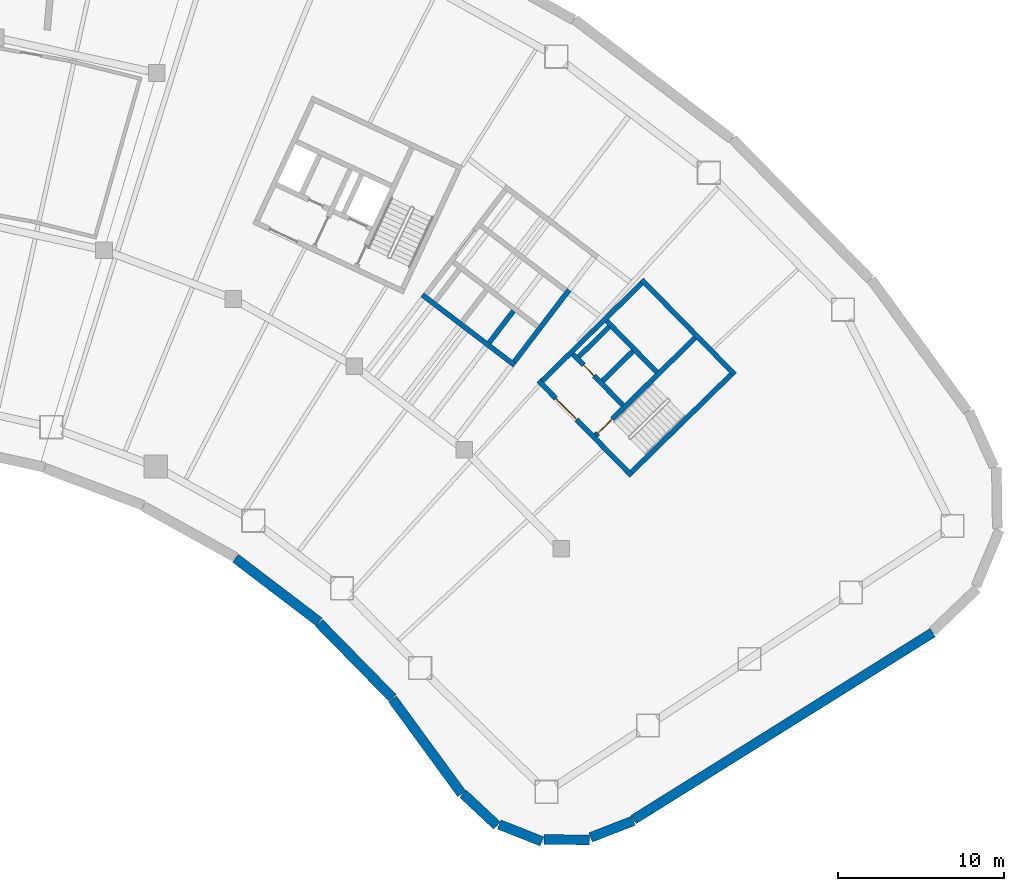
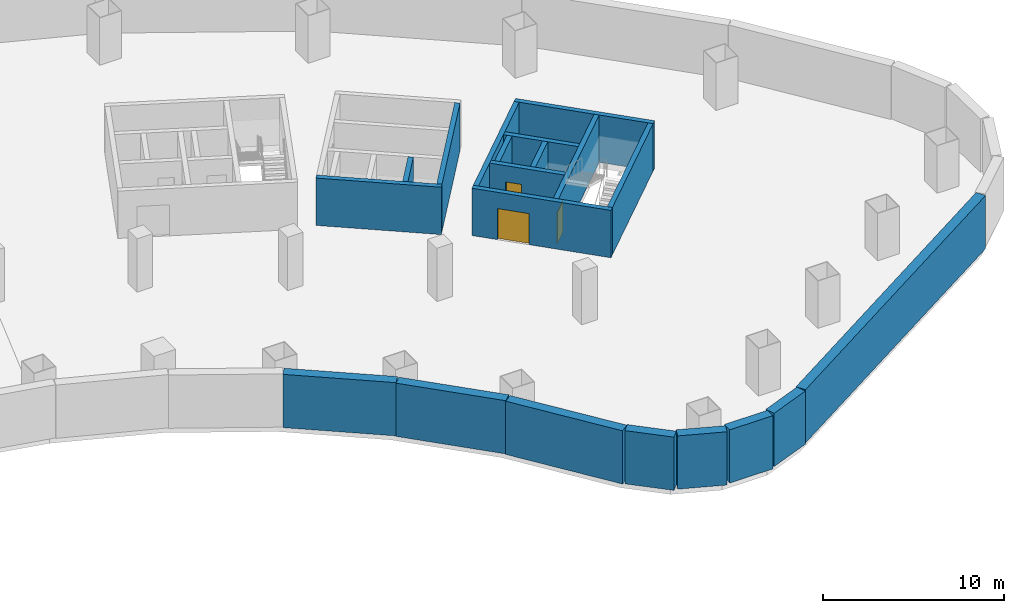
# One storey, part 6 of 10: 20 walls, 3 doors, 3 openings.
"""IFC4 building model written with IfcOpenShell, lengths in metres."""

from ifc_helpers import new_model, si_unit, direction, frame, frame_2d, origin, place, context, subcontext, project, spatial, rectangle, extrude, material, layer, layer_set, type_object, element, fill, save


model = new_model("IFC4")

# Units and contexts
model_context = context("Model", 3, precision=1e-05, world=origin(), true_north=direction((0.0, 1.0)))
body_context = subcontext(model_context, "Body", "Model", "MODEL_VIEW")
ifc_project = project(units=[si_unit("LENGTHUNIT", "METRE"), si_unit("AREAUNIT", "SQUARE_METRE"), si_unit("VOLUMEUNIT", "CUBIC_METRE"), si_unit("PLANEANGLEUNIT", "RADIAN"), si_unit("MASSUNIT", "GRAM", prefix="KILO")], contexts=[model_context])

# Site, building, storey
site_placement = place(None, origin())
site = spatial("IfcSite", under=ifc_project, at=site_placement, CompositionType="ELEMENT")
building_placement = place(site_placement, origin())
building = spatial("IfcBuilding", under=site, at=building_placement, Name="Tuul Gate Civic Tower", CompositionType="ELEMENT")
storey_placement = place(building_placement, frame((0.0, 0.0, -8.10009765625)))
storey = spatial("IfcBuildingStorey", under=building, at=storey_placement, Name="Basement 2", CompositionType="ELEMENT", Elevation=-8.10009765625)

# Wall, opening, door
ifc_material_1 = material(Name="Concrete C50/60", Category="concrete")
ifc_layer_1 = layer(ifc_material_1, 0.300048828125)
ifc_layer_set_1 = layer_set([ifc_layer_1], Name="Concrete C50/60")
wall_type_1 = type_object("IfcWallType", Name="Core wall C50/60", PredefinedType="SHEAR", material=ifc_layer_set_1)
wall_1_placement = place(storey_placement, frame((48.22509765625, -18.327880859375, 0.0), z_axis=(0.0, 0.0, 1.0), x_axis=(-0.700021979774, 0.714121297703, 0.0)))
wall_1 = element("IfcWall", 1, at=wall_1_placement, inside=storey, type_object=wall_type_1, Name="Core wall", PredefinedType="SHEAR", context=body_context, shape_type="SweptSolid", body=[
    extrude(rectangle(XDim=8.0, YDim=0.300048828125, at=frame_2d((4.0, 0.0))), origin(), (0.0, 0.0, 1.0), 3.2001953125),
])
opening_1_placement = place(wall_1_placement, frame((4.72509765625, 0.0, 0.0)))
opening_1 = element("IfcOpeningElement", 2, at=opening_1_placement, cuts=wall_1, Name="Opening LB-E1-LOBBY-1", PredefinedType="OPENING", context=body_context, shape_type="SweptSolid", body=[
    extrude(rectangle(XDim=1.800048828125, YDim=2.10009765625, at=frame_2d((0.89990234375, 1.050048828125))), frame((0.0, 0.16015625, 0.0), z_axis=(0.0, -1.0, 0.0), x_axis=(1.0, 0.0, 0.0)), (0.0, 0.0, 1.0), 0.320068359375),
])
ifc_material_2 = material(Name="Steel", Category="steel")
door_type_1 = type_object("IfcDoorType", Name="Lobby door", OperationType="DOUBLE_DOOR_SINGLE_SWING", PredefinedType="DOOR", material=ifc_material_2)
door_1_placement = place(opening_1_placement, origin())
door_1 = element("IfcDoor", 3, at=door_1_placement, inside=storey, type_object=door_type_1, Name="Lobby door E1-LOBBY", OperationType="DOUBLE_DOOR_SINGLE_SWING", OverallHeight=2.10009765625, OverallWidth=1.800048828125, PredefinedType="DOOR", context=body_context, shape_type="SweptSolid", body=[
    extrude(rectangle(XDim=1.800048828125, YDim=2.10009765625, at=frame_2d((0.89990234375, 1.050048828125))), frame((0.0, 0.02490234375, 0.0), z_axis=(0.0, -1.0, 0.0), x_axis=(1.0, 0.0, 0.0)), (0.0, 0.0, 1.0), 0.050048828125),
])
fill(opening_1, door_1)

wall_2_placement = place(storey_placement, frame((47.701904296875, -14.079833984375, 0.0), z_axis=(0.0, 0.0, 1.0), x_axis=(-0.700002721075, 0.714140175657, 0.0)))
wall_2 = element("IfcWall", 4, at=wall_2_placement, inside=storey, type_object=wall_type_1, Name="Core wall", PredefinedType="SHEAR", context=body_context, shape_type="SweptSolid", body=[
    extrude(rectangle(XDim=4.300048828125, YDim=0.300048828125, at=frame_2d((2.14990234375, 0.0))), origin(), (0.0, 0.0, 1.0), 3.2001953125),
])
opening_2_placement = place(wall_2_placement, frame((2.47509765625, 0.0, 0.0)))
opening_2 = element("IfcOpeningElement", 5, at=opening_2_placement, cuts=wall_2, Name="Opening FB-E1A2", PredefinedType="OPENING", context=body_context, shape_type="SweptSolid", body=[
    extrude(rectangle(XDim=0.89990234375, YDim=2.10009765625, at=frame_2d((0.449951171875, 1.050048828125))), frame((0.0, 0.16015625, 0.0), z_axis=(0.0, -1.0, 0.0), x_axis=(1.0, 0.0, 0.0)), (0.0, 0.0, 1.0), 0.320068359375),
])
ifc_material_3 = material(Name="Steel", Category="steel")
door_type_2 = type_object("IfcDoorType", Name="Store door", OperationType="NOTDEFINED", PredefinedType="DOOR", material=ifc_material_3)
door_2_placement = place(opening_2_placement, frame((0.89990234375, 0.0, 0.0), z_axis=(0.0, 0.0, 1.0), x_axis=(-1.0, 0.0, 0.0)))
door_2 = element("IfcDoor", 6, at=door_2_placement, inside=storey, type_object=door_type_2, Name="Store door E1A2", OperationType="SINGLE_SWING_LEFT", OverallHeight=2.10009765625, OverallWidth=0.89990234375, PredefinedType="DOOR", context=body_context, shape_type="SweptSolid", body=[
    extrude(rectangle(XDim=0.89990234375, YDim=2.10009765625, at=frame_2d((0.449951171875, 1.050048828125))), frame((0.0, 0.02490234375, 0.0), z_axis=(0.0, -1.0, 0.0), x_axis=(1.0, 0.0, 0.0)), (0.0, 0.0, 1.0), 0.050048828125),
])
fill(opening_2, door_2)

# Walls
wall_3_placement = place(storey_placement, frame((49.737060546875, -12.0849609375, 0.0), z_axis=(0.0, 0.0, 1.0), x_axis=(-0.700002721075, 0.714140175657, 0.0)))
element("IfcWall", 7, at=wall_3_placement, inside=storey, type_object=wall_type_1, Name="Core wall", PredefinedType="SHEAR", context=body_context, shape_type="SweptSolid", body=[
    extrude(rectangle(XDim=4.300048828125, YDim=0.300048828125, at=frame_2d((2.14990234375, 0.0))), origin(), (0.0, 0.0, 1.0), 3.2001953125),
])
wall_4_placement = place(storey_placement, frame((54.43798828125, -12.23779296875, 0.0), z_axis=(0.0, 0.0, 1.0), x_axis=(-0.700021979774, 0.714121297703, 0.0)))
element("IfcWall", 8, at=wall_4_placement, inside=storey, type_object=wall_type_1, Name="Core wall", PredefinedType="SHEAR", context=body_context, shape_type="SweptSolid", body=[
    extrude(rectangle(XDim=8.0, YDim=0.300048828125, at=frame_2d((4.0, 0.0))), origin(), (0.0, 0.0, 1.0), 3.2001953125),
])
wall_5_placement = place(storey_placement, frame((48.227294921875, -18.115966796875, 0.0), z_axis=(0.0, 0.0, 1.0), x_axis=(0.714105315431, 0.700038283577, 0.0)))
element("IfcWall", 9, at=wall_5_placement, inside=storey, type_object=wall_type_1, Name="Core wall", PredefinedType="SHEAR", context=body_context, shape_type="SweptSolid", body=[
    extrude(rectangle(XDim=8.400146484375, YDim=0.300048828125, at=frame_2d((4.2001953125, 0.0))), origin(), (0.0, 0.0, 1.0), 3.2001953125),
])

# Wall, opening, door
wall_6_placement = place(storey_placement, frame((46.05712890625, -15.902099609375, 0.0), z_axis=(0.0, 0.0, 1.0), x_axis=(0.714134086973, 0.700008932674, 0.0)))
wall_6 = element("IfcWall", 10, at=wall_6_placement, inside=storey, type_object=wall_type_1, Name="Core wall", PredefinedType="SHEAR", context=body_context, shape_type="SweptSolid", body=[
    extrude(rectangle(XDim=8.400146484375, YDim=0.300048828125, at=frame_2d((4.2001953125, 0.0))), origin(), (0.0, 0.0, 1.0), 3.2001953125),
])
opening_3_placement = place(wall_6_placement, frame((0.199951171875, 0.0, 0.0)))
opening_3 = element("IfcOpeningElement", 11, at=opening_3_placement, cuts=wall_6, Name="Opening SD-ST-3", PredefinedType="OPENING", context=body_context, shape_type="SweptSolid", body=[
    extrude(rectangle(XDim=1.199951171875, YDim=2.10009765625, at=frame_2d((0.60009765625, 1.050048828125))), frame((0.0, 0.16015625, 0.0), z_axis=(0.0, -1.0, 0.0), x_axis=(1.0, 0.0, 0.0)), (0.0, 0.0, 1.0), 0.320068359375),
])
ifc_material_4 = material(Name="Steel", Category="steel")
door_type_3 = type_object("IfcDoorType", Name="Stair door", OperationType="NOTDEFINED", PredefinedType="DOOR", material=ifc_material_4)
door_3_placement = place(opening_3_placement, origin())
door_3 = element("IfcDoor", 12, at=door_3_placement, inside=storey, type_object=door_type_3, Name="Stair door ST-3", OperationType="SINGLE_SWING_LEFT", OverallHeight=2.10009765625, OverallWidth=1.199951171875, PredefinedType="DOOR", context=body_context, shape_type="SweptSolid", body=[
    extrude(rectangle(XDim=1.199951171875, YDim=2.10009765625, at=frame_2d((0.60009765625, 1.050048828125))), frame((0.0, 0.02490234375, 0.0), z_axis=(0.0, -1.0, 0.0), x_axis=(1.0, 0.0, 0.0)), (0.0, 0.0, 1.0), 0.050048828125),
])
fill(opening_3, door_3)

# Walls
wall_7_placement = place(storey_placement, frame((46.47900390625, -12.617919921875, 0.0), z_axis=(0.0, 0.0, 1.0), x_axis=(0.71410944159, 0.700034074479, 0.0)))
element("IfcWall", 13, at=wall_7_placement, inside=storey, type_object=wall_type_1, Name="Core wall", PredefinedType="SHEAR", context=body_context, shape_type="SweptSolid", body=[
    extrude(rectangle(XDim=2.5498046875, YDim=0.300048828125, at=frame_2d((1.27490234375, 0.0))), origin(), (0.0, 0.0, 1.0), 3.2001953125),
])
wall_8_placement = place(storey_placement, frame((45.0439453125, -11.154052734375, 0.0), z_axis=(0.0, 0.0, 1.0), x_axis=(0.714108498262, 0.700035036773, 0.0)))
element("IfcWall", 14, at=wall_8_placement, inside=storey, type_object=wall_type_1, Name="Core wall", PredefinedType="SHEAR", context=body_context, shape_type="SweptSolid", body=[
    extrude(rectangle(XDim=2.550048828125, YDim=0.300048828125, at=frame_2d((1.27490234375, 0.0))), origin(), (0.0, 0.0, 1.0), 3.2001953125),
])
wall_9_placement = place(storey_placement, frame((42.837158203125, -12.616943359375, 0.0), z_axis=(0.0, 0.0, 1.0), x_axis=(0.714119844755, 0.700023461983, 0.0)))
element("IfcWall", 15, at=wall_9_placement, inside=storey, type_object=wall_type_1, Name="Core wall", PredefinedType="SHEAR", context=body_context, shape_type="SweptSolid", body=[
    extrude(rectangle(XDim=8.39990234375, YDim=0.300048828125, at=frame_2d((4.199951171875, 0.0))), origin(), (0.0, 0.0, 1.0), 3.2001953125),
])
ifc_material_5 = material(Name="Concrete C40/50", Category="concrete")
ifc_layer_2 = layer(ifc_material_5, 0.300048828125)
ifc_layer_set_2 = layer_set([ifc_layer_2], Name="Concrete C40/50")
wall_type_2 = type_object("IfcWallType", Name="Lift shaft wall C40/50", PredefinedType="STANDARD", material=ifc_layer_set_2)
wall_10_placement = place(storey_placement, frame((41.19189453125, -11.677734375, 0.0), z_axis=(0.0, 0.0, 1.0), x_axis=(-0.795563000331, 0.605870871147, 0.0)))
element("IfcWall", 16, at=wall_10_placement, inside=storey, type_object=wall_type_2, Name="Shaft wall", PredefinedType="STANDARD", context=body_context, shape_type="SweptSolid", body=[
    extrude(rectangle(XDim=7.000244140625, YDim=0.300048828125, at=frame_2d((3.5, 0.0))), origin(), (0.0, 0.0, 1.0), 3.2001953125),
])
wall_11_placement = place(storey_placement, frame((41.163330078125, -11.46728515625, 0.0), z_axis=(0.0, 0.0, 1.0), x_axis=(0.605784332699, 0.795628897324, 0.0)))
element("IfcWall", 17, at=wall_11_placement, inside=storey, type_object=wall_type_2, Name="Shaft wall", PredefinedType="STANDARD", context=body_context, shape_type="SweptSolid", body=[
    extrude(rectangle(XDim=7.89990234375, YDim=0.300048828125, at=frame_2d((3.949951171875, 0.0))), origin(), (0.0, 0.0, 1.0), 3.2001953125),
])
wall_12_placement = place(storey_placement, frame((39.65185546875, -10.31640625, 0.0), z_axis=(0.0, 0.0, 1.0), x_axis=(0.605745892068, 0.79565816419, 0.0)))
element("IfcWall", 18, at=wall_12_placement, inside=storey, type_object=wall_type_2, Name="Shaft wall", PredefinedType="STANDARD", context=body_context, shape_type="SweptSolid", body=[
    extrude(rectangle(XDim=2.400146484375, YDim=0.300048828125, at=frame_2d((1.2001953125, 0.0))), origin(), (0.0, 0.0, 1.0), 3.2001953125),
])
ifc_material_6 = material(Name="Concrete C40/50", Category="concrete")
ifc_layer_3 = layer(ifc_material_6, 0.60009765625)
ifc_layer_set_3 = layer_set([ifc_layer_3], Name="Concrete C40/50")
wall_type_3 = type_object("IfcWallType", Name="STR-BASEMENT-WALL-600", PredefinedType="SOLIDWALL", material=ifc_layer_set_3)
wall_13_placement = place(storey_placement, frame((24.36669921875, -23.305908203125, 0.0), z_axis=(0.0, 0.0, 1.0), x_axis=(0.795574327879, -0.605855996768, 0.0)))
element("IfcWall", 19, at=wall_13_placement, inside=storey, type_object=wall_type_3, Name="Retaining wall", PredefinedType="SOLIDWALL", context=body_context, shape_type="SweptSolid", body=[
    extrude(rectangle(XDim=6.326171875, YDim=0.60009765625, at=frame_2d((3.1630859375, 0.0))), origin(), (0.0, 0.0, 1.0), 3.60009765625),
])
wall_14_placement = place(storey_placement, frame((29.400146484375, -27.200927734375, 0.0), z_axis=(0.0, 0.0, 1.0), x_axis=(0.699988825608, -0.714153795778, 0.0)))
element("IfcWall", 20, at=wall_14_placement, inside=storey, type_object=wall_type_3, Name="Retaining wall", PredefinedType="SOLIDWALL", context=body_context, shape_type="SweptSolid", body=[
    extrude(rectangle(XDim=6.325439453125, YDim=0.60009765625, at=frame_2d((3.16259765625, 0.0))), origin(), (0.0, 0.0, 1.0), 3.60009765625),
])
wall_15_placement = place(storey_placement, frame((33.819580078125, -31.77978515625, 0.0), z_axis=(0.0, 0.0, 1.0), x_axis=(0.58979083705, -0.807556046682, 0.0)))
element("IfcWall", 21, at=wall_15_placement, inside=storey, type_object=wall_type_3, Name="Retaining wall", PredefinedType="SOLIDWALL", context=body_context, shape_type="SweptSolid", body=[
    extrude(rectangle(XDim=7.07763671875, YDim=0.60009765625, at=frame_2d((3.538818359375, 0.0))), origin(), (0.0, 0.0, 1.0), 3.60009765625),
])
wall_16_placement = place(storey_placement, frame((38.073974609375, -37.49365234375, 0.0), z_axis=(0.0, 0.0, 1.0), x_axis=(0.729885277798, -0.683569660864, 0.0)))
element("IfcWall", 22, at=wall_16_placement, inside=storey, type_object=wall_type_3, Name="Retaining wall", PredefinedType="SOLIDWALL", context=body_context, shape_type="SweptSolid", body=[
    extrude(rectangle(XDim=2.799072265625, YDim=0.60009765625, at=frame_2d((1.3994140625, 0.0))), origin(), (0.0, 0.0, 1.0), 3.60009765625),
])
wall_17_placement = place(storey_placement, frame((40.260498046875, -39.345947265625, 0.0), z_axis=(0.0, 0.0, 1.0), x_axis=(0.92939489818, -0.369086877627, 0.0)))
element("IfcWall", 23, at=wall_17_placement, inside=storey, type_object=wall_type_3, Name="Retaining wall", PredefinedType="SOLIDWALL", context=body_context, shape_type="SweptSolid", body=[
    extrude(rectangle(XDim=2.76025390625, YDim=0.60009765625, at=frame_2d((1.380126953125, 0.0))), origin(), (0.0, 0.0, 1.0), 3.60009765625),
])
for number, where, z_axis, x_axis, name in (
    (24, (42.937255859375, -40.255126953125, 0.0), (0.0, 0.0, 1.0), (0.999994928839, -0.003184697226, 0.0), "Retaining wall"),
    (25, (45.760498046875, -40.12158203125, 0.0), (0.0, 0.0, 1.0), (0.932003011287, 0.362450530351, 0.0), "Retaining wall"),
):
    element("IfcWall", number, at=place(storey_placement, frame(where, z_axis=z_axis, x_axis=x_axis)), inside=storey, type_object=wall_type_3, Name=name, PredefinedType="SOLIDWALL", context=body_context, shape_type="SweptSolid", body=[
        extrude(rectangle(XDim=2.759765625, YDim=0.60009765625, at=frame_2d((1.3798828125, 0.0))), origin(), (0.0, 0.0, 1.0), 3.60009765625),
    ])
wall_18_placement = place(storey_placement, frame((48.3515625, -39.04345703125, 0.0), z_axis=(0.0, 0.0, 1.0), x_axis=(0.84804026934, 0.529931789552, 0.0)))
element("IfcWall", 26, at=wall_18_placement, inside=storey, type_object=wall_type_3, Name="Retaining wall", PredefinedType="SOLIDWALL", context=body_context, shape_type="SweptSolid", body=[
    extrude(rectangle(XDim=21.242919921875, YDim=0.60009765625, at=frame_2d((10.62158203125, 0.0))), origin(), (0.0, 0.0, 1.0), 3.60009765625),
])

save(model, "model.ifc")
